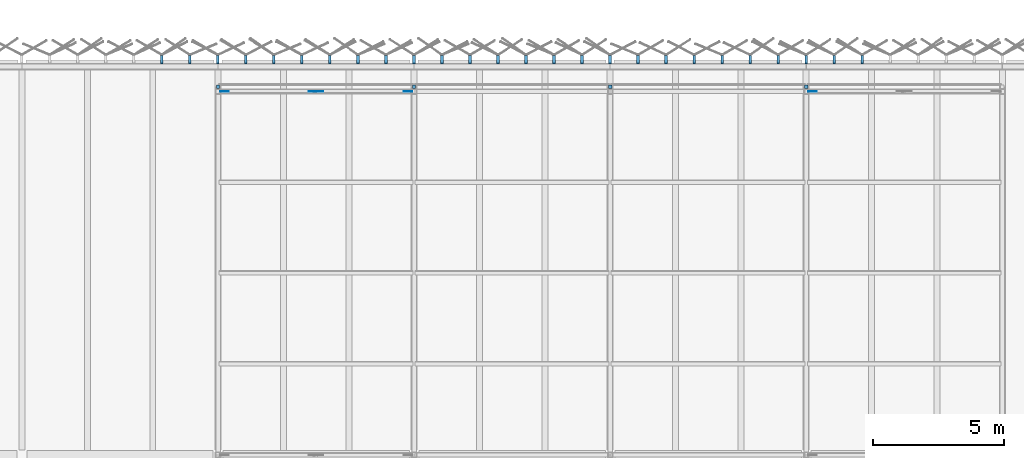
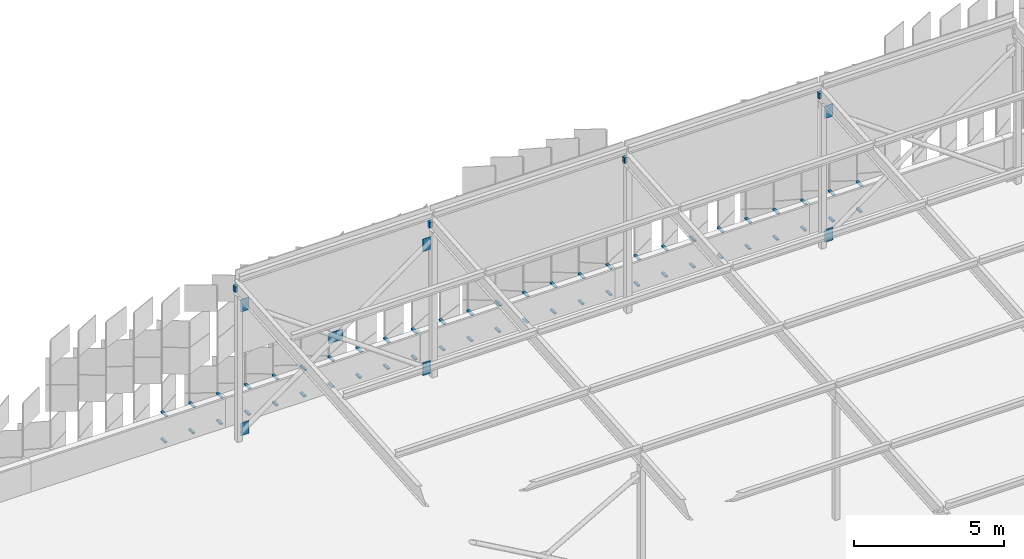
# One storey, part 454 of 483: 63 discrete accessories.
"""IFC4 building model written with IfcOpenShell, lengths in metres."""

import ifcopenshell
import ifcopenshell.guid

model = None  # the IFC model being written
_history = None  # IfcOwnerHistory: only IFC2X3 demands one
_inside = {}  # id of a spatial element -> (the spatial element, [elements in it])
_under = {}  # id of a project, library or spatial element -> (it, [spatial elements below it])
_declared = {}  # id of a project -> (the project, [libraries it declares])
_typed = {}  # id of a type object -> (the type object, [elements of that type])
_made_of = {}  # id of a material, layer set ... -> (it, [elements and type objects made of it])


def new_model(schema):
    """Start an empty IFC model of exactly this schema.

    Asked for "IFC4X3", IfcOpenShell would pick the latest addendum, in which some entities
    have other attributes; the version numbers below select the first issue.
    IFC2X3 requires an IfcOwnerHistory on every rooted entity: one is made here for all.
    """
    global model, _history
    if schema == "IFC4X3":
        model = ifcopenshell.file(schema_version=(4, 3, 0, 0))
    else:
        model = ifcopenshell.file(schema=schema)
    _inside.clear()
    _under.clear()
    _declared.clear()
    _typed.clear()
    _made_of.clear()
    _history = None
    if model.schema == "IFC2X3":
        org = make("IfcOrganization", Name="unknown")
        user = make(
            "IfcPersonAndOrganization",
            ThePerson=make("IfcPerson", FamilyName="unknown"),
            TheOrganization=org,
        )
        app = make(
            "IfcApplication",
            ApplicationDeveloper=org,
            Version="unknown",
            ApplicationFullName="unknown",
            ApplicationIdentifier="unknown",
        )
        _history = make(
            "IfcOwnerHistory",
            OwningUser=user,
            OwningApplication=app,
            ChangeAction="ADDED",
            CreationDate=0,
        )
    return model


def make(cls, **values):
    """One entity of the class cls with the attributes given. An attribute that is None is left unset."""
    return model.create_entity(
        cls, **{name: value for name, value in values.items() if value is not None}
    )


def rooted(cls, **values):
    """An entity with a GlobalId (a new one), such as an element, a storey or a relation."""
    return make(cls, GlobalId=ifcopenshell.guid.new(), OwnerHistory=_history, **values)


def si_unit(unit_type, name, prefix=None):
    """IfcSIUnit, for example si_unit("LENGTHUNIT", "METRE", prefix="MILLI")."""
    return make("IfcSIUnit", UnitType=unit_type, Prefix=prefix, Name=name)


def assignment(units):
    """IfcUnitAssignment: the units of a project."""
    return None if units is None else make("IfcUnitAssignment", Units=units)


def point(xyz):
    """IfcCartesianPoint."""
    return None if xyz is None else make("IfcCartesianPoint", Coordinates=xyz)


def direction(xyz):
    """IfcDirection."""
    return None if xyz is None else make("IfcDirection", DirectionRatios=xyz)


def frame(location, z_axis=None, x_axis=None):
    """IfcAxis2Placement3D, a coordinate frame: its origin and axes. An axis left out is left unset."""
    return make(
        "IfcAxis2Placement3D",
        Location=point(location),
        Axis=direction(z_axis),
        RefDirection=direction(x_axis),
    )


def frame_2d(location, x_axis=None):
    """IfcAxis2Placement2D, a coordinate frame in the plane: its origin and x axis."""
    return make(
        "IfcAxis2Placement2D", Location=point(location), RefDirection=direction(x_axis)
    )


def origin():
    """The frame at (0, 0, 0) with its axes left unset."""
    return frame((0.0, 0.0, 0.0))


def origin_2d():
    """The frame at (0, 0) in the plane with its x axis left unset."""
    return frame_2d((0.0, 0.0))


def place(relative_to, where):
    """IfcLocalPlacement: puts the frame where relative to a parent placement (None: the world)."""
    return make(
        "IfcLocalPlacement", PlacementRelTo=relative_to, RelativePlacement=where
    )


def context(
    kind, dimensions, precision=None, world=None, true_north=None, identifier=None
):
    """IfcGeometricRepresentationContext, for example the 3D "Model" context."""
    return make(
        "IfcGeometricRepresentationContext",
        ContextIdentifier=identifier,
        ContextType=kind,
        CoordinateSpaceDimension=dimensions,
        Precision=precision,
        WorldCoordinateSystem=world,
        TrueNorth=true_north,
    )


def subcontext(parent, identifier, kind, view, scale=None):
    """IfcGeometricRepresentationSubContext, for example "Body" below "Model"."""
    return make(
        "IfcGeometricRepresentationSubContext",
        ContextIdentifier=identifier,
        ContextType=kind,
        ParentContext=parent,
        TargetScale=scale,
        TargetView=view,
    )


def project(units=None, contexts=None):
    """IfcProject with its units and contexts."""
    return rooted(
        "IfcProject",
        Name="project",
        RepresentationContexts=contexts,
        UnitsInContext=assignment(units),
    )


def spatial(cls, under=None, at=None, **own):
    """A site, building, storey or space (cls), placed at a placement, below another one or the project."""
    s = rooted(cls, ObjectPlacement=at, **own)
    if under is not None:
        _under.setdefault(under.id(), (under, []))[1].append(s)
    return s


def polyline(points):
    """IfcPolyline through the points."""
    return make("IfcPolyline", Points=[point(p) for p in points])


def profile(cls, at=None, kind="AREA", **sizes):
    """A parametric profile (cls). Its sizes go by their IFC names, for example OverallWidth=200.0."""
    return make(cls, ProfileType=kind, Position=at, **sizes)


def rectangle(**sizes):
    """IfcRectangleProfileDef."""
    return profile("IfcRectangleProfileDef", **sizes)


def outline(outer, holes=None, kind="AREA"):
    """IfcArbitraryClosedProfileDef: a profile drawn as a closed curve; with holes, ...WithVoids."""
    if holes is None:
        return make("IfcArbitraryClosedProfileDef", ProfileType=kind, OuterCurve=outer)
    return make(
        "IfcArbitraryProfileDefWithVoids",
        ProfileType=kind,
        OuterCurve=outer,
        InnerCurves=holes,
    )


def extrude(swept, where, along, depth):
    """IfcExtrudedAreaSolid: the profile swept, set in the frame where, extruded along a direction by depth."""
    return make(
        "IfcExtrudedAreaSolid",
        SweptArea=swept,
        Position=where,
        ExtrudedDirection=direction(along),
        Depth=depth,
    )


def shape(context_of_items, identifier, shape_type, items):
    """IfcShapeRepresentation: the items that make up one representation, for example the "Body"."""
    return make(
        "IfcShapeRepresentation",
        ContextOfItems=context_of_items,
        RepresentationIdentifier=identifier,
        RepresentationType=shape_type,
        Items=items,
    )


def material(Name=None, Category=None):
    """IfcMaterial."""
    return make("IfcMaterial", Name=Name, Category=Category)


def layer(
    of_material, thickness, ventilated=None, Name=None, Category=None, Priority=None
):
    """IfcMaterialLayer: one layer of a wall or slab, of a material (None: an air gap)."""
    return make(
        "IfcMaterialLayer",
        Material=of_material,
        LayerThickness=thickness,
        IsVentilated=ventilated,
        Name=Name,
        Category=Category,
        Priority=Priority,
    )


def layer_set(layers, Name=None):
    """IfcMaterialLayerSet."""
    return make("IfcMaterialLayerSet", MaterialLayers=layers, LayerSetName=Name)


def made_of(thing, what):
    """Note that an element or type object is made of a material, layer set ...; save() writes the relation."""
    if what is not None:
        _made_of.setdefault(what.id(), (what, []))[1].append(thing)
    return thing


def type_object(cls, material=None, **own):
    """A type object (cls), such as IfcWallType, which elements share."""
    return made_of(rooted(cls, **own), material)


def element(
    cls,
    number,
    at=None,
    inside=None,
    cuts=None,
    type_object=None,
    material=None,
    context=None,
    identifier="Body",
    shape_type=None,
    held_by="IfcProductDefinitionShape",
    body=None,
    shapes=None,
    **own,
):
    """One element of the class cls, such as IfcWall. Its Tag is "e" and its number.

    at: its placement. inside: the storey or other place that contains it. cuts: it is an
    opening in that element (IfcRelVoidsElement). A single representation is given by context,
    identifier, shape_type and body (its items); several are given by shapes. held_by: the class
    of the entity that holds the representations. save() writes the other relations.
    """
    e = rooted(cls, Tag="e%d" % number, ObjectPlacement=at, **own)
    if body is not None:
        shapes = [shape(context, identifier, shape_type, body)]
    if shapes is not None:
        e.Representation = make(held_by, Representations=shapes)
    if inside is not None:
        _inside.setdefault(inside.id(), (inside, []))[1].append(e)
    if cuts is not None:
        rooted(
            "IfcRelVoidsElement", RelatingBuildingElement=cuts, RelatedOpeningElement=e
        )
    if type_object is not None:
        _typed.setdefault(type_object.id(), (type_object, []))[1].append(e)
    return made_of(e, material)


def aggregate(whole, parts):
    """IfcRelAggregates: a whole, such as a stair, and the parts it consists of."""
    return rooted("IfcRelAggregates", RelatingObject=whole, RelatedObjects=parts)


def save(model, path):
    """Write the relations noted so far, then the file.

    IfcRelAggregates (storeys below a building ...), IfcRelContainedInSpatialStructure (elements
    in a storey), IfcRelDefinesByType, IfcRelAssociatesMaterial and IfcRelDeclares: one each for
    every whole, place, type object, material and project.
    """
    for whole, parts in _under.values():
        aggregate(whole, parts)
    for where, things in _inside.values():
        rooted(
            "IfcRelContainedInSpatialStructure",
            RelatedElements=things,
            RelatingStructure=where,
        )
    for kind, things in _typed.values():
        rooted("IfcRelDefinesByType", RelatedObjects=things, RelatingType=kind)
    for what, things in _made_of.values():
        rooted("IfcRelAssociatesMaterial", RelatedObjects=things, RelatingMaterial=what)
    for by, libraries in _declared.values():
        rooted("IfcRelDeclares", RelatingContext=by, RelatedDefinitions=libraries)
    model.write(path)


model = new_model("IFC4")

# Units and contexts
model_context = context("Model", 3, precision=1e-05, world=origin(), true_north=direction((0.0, 1.0)))
body_context = subcontext(model_context, "Body", "Model", "MODEL_VIEW")
ifc_project = project(units=[si_unit("LENGTHUNIT", "METRE"), si_unit("AREAUNIT", "SQUARE_METRE"), si_unit("VOLUMEUNIT", "CUBIC_METRE"), si_unit("PLANEANGLEUNIT", "RADIAN"), si_unit("MASSUNIT", "GRAM", prefix="KILO")], contexts=[model_context])

# Site, building, storey
site_placement = place(None, origin())
site = spatial("IfcSite", under=ifc_project, at=site_placement, CompositionType="ELEMENT")
building_placement = place(site_placement, origin())
building = spatial("IfcBuilding", under=site, at=building_placement, Name="Parallax Yard Mobility Hub", CompositionType="ELEMENT")
storey_placement = place(building_placement, frame((0.0, 0.0, 13.199951171875)))
storey = spatial("IfcBuildingStorey", under=building, at=storey_placement, Name="L04", CompositionType="ELEMENT", Elevation=13.199951171875)

# Discrete accessories
ifc_material_1 = material(Name="Steel ASTM A36", Category="steel")
ifc_layer = layer(ifc_material_1, 0.011962890625)
ifc_layer_set = layer_set([ifc_layer], Name="Gusset plate PL12")
discrete_accessory_type_1 = type_object("IfcDiscreteAccessoryType", Name="Gusset plate PL12", PredefinedType="BRACKET", material=ifc_layer_set)
discrete_accessory_1_placement = place(storey_placement, frame((0.0, 0.0, 0.150146484375)))
element("IfcDiscreteAccessory", 1, at=discrete_accessory_1_placement, inside=storey, type_object=discrete_accessory_type_1, Name="Gusset plate PL12 RC bay N-B bay 1 foot on post N-B1", PredefinedType="BRACKET", context=body_context, shape_type="SweptSolid", body=[
    extrude(outline(polyline([(90.08154296875, 141.39404296875), (90.401611328125, 141.39404296875), (90.401611328125, 141.406005859375), (90.08154296875, 141.406005859375), (90.08154296875, 141.39404296875)])), origin(), (0.0, 0.0, 1.0), 0.515380859375),
])
discrete_accessory_2_placement = place(storey_placement, frame((0.0, 0.0, 5.196533203125)))
element("IfcDiscreteAccessory", 2, at=discrete_accessory_2_placement, inside=storey, type_object=discrete_accessory_type_1, Name="Gusset plate PL12 RC bay N-B bay 1 head on post N-B2", PredefinedType="BRACKET", context=body_context, shape_type="SweptSolid", body=[
    extrude(outline(polyline([(97.41845703125, 141.406005859375), (97.098388671875, 141.406005859375), (97.098388671875, 141.39404296875), (97.41845703125, 141.39404296875), (97.41845703125, 141.406005859375)])), origin(), (0.0, 0.0, 1.0), 0.515625),
])
discrete_accessory_3_placement = place(storey_placement, frame((0.0, 0.0, 0.150146484375)))
element("IfcDiscreteAccessory", 3, at=discrete_accessory_3_placement, inside=storey, type_object=discrete_accessory_type_1, Name="Gusset plate PL12 RC bay N-B bay 1 foot on post N-B2", PredefinedType="BRACKET", context=body_context, shape_type="SweptSolid", body=[
    extrude(outline(polyline([(97.41845703125, 141.406005859375), (97.098388671875, 141.406005859375), (97.098388671875, 141.39404296875), (97.41845703125, 141.39404296875), (97.41845703125, 141.406005859375)])), origin(), (0.0, 0.0, 1.0), 0.515380859375),
])
discrete_accessory_4_placement = place(storey_placement, frame((0.0, 0.0, 5.196533203125)))
element("IfcDiscreteAccessory", 4, at=discrete_accessory_4_placement, inside=storey, type_object=discrete_accessory_type_1, Name="Gusset plate PL12 RC bay N-B bay 1 head on post N-B1", PredefinedType="BRACKET", context=body_context, shape_type="SweptSolid", body=[
    extrude(outline(polyline([(90.08154296875, 141.39404296875), (90.401611328125, 141.39404296875), (90.401611328125, 141.406005859375), (90.08154296875, 141.406005859375), (90.08154296875, 141.39404296875)])), origin(), (0.0, 0.0, 1.0), 0.515625),
])
discrete_accessory_5_placement = place(storey_placement, frame((0.0, 0.0, 2.720947265625)))
element("IfcDiscreteAccessory", 5, at=discrete_accessory_5_placement, inside=storey, type_object=discrete_accessory_type_1, Name="Gusset plate PL12 RC bay N-B bay 1 crossing node", PredefinedType="BRACKET", context=body_context, shape_type="SweptSolid", body=[
    extrude(outline(polyline([(93.469970703125, 141.39404296875), (94.030029296875, 141.39404296875), (94.030029296875, 141.406005859375), (93.469970703125, 141.406005859375), (93.469970703125, 141.39404296875)])), origin(), (0.0, 0.0, 1.0), 0.420166015625),
])
discrete_accessory_6_placement = place(storey_placement, frame((0.0, 0.0, 0.150146484375)))
element("IfcDiscreteAccessory", 6, at=discrete_accessory_6_placement, inside=storey, type_object=discrete_accessory_type_1, Name="Gusset plate PL12 RC bay N-B bay 4 foot on post N-B4", PredefinedType="BRACKET", context=body_context, shape_type="SweptSolid", body=[
    extrude(outline(polyline([(112.58154296875, 141.39404296875), (112.901611328125, 141.39404296875), (112.901611328125, 141.406005859375), (112.58154296875, 141.406005859375), (112.58154296875, 141.39404296875)])), origin(), (0.0, 0.0, 1.0), 0.515380859375),
])
discrete_accessory_7_placement = place(storey_placement, frame((0.0, 0.0, 5.196533203125)))
element("IfcDiscreteAccessory", 7, at=discrete_accessory_7_placement, inside=storey, type_object=discrete_accessory_type_1, Name="Gusset plate PL12 RC bay N-B bay 4 head on post N-B4", PredefinedType="BRACKET", context=body_context, shape_type="SweptSolid", body=[
    extrude(outline(polyline([(112.58154296875, 141.39404296875), (112.901611328125, 141.39404296875), (112.901611328125, 141.406005859375), (112.58154296875, 141.406005859375), (112.58154296875, 141.39404296875)])), origin(), (0.0, 0.0, 1.0), 0.515625),
])
ifc_material_2 = material(Name="Steel ASTM A36, hot-dip galvanised", Category="steel")
discrete_accessory_type_2 = type_object("IfcDiscreteAccessoryType", Name="Hinge bracket plate 100x50", PredefinedType="BRACKET", material=ifc_material_2)
discrete_accessory_8_placement = place(storey_placement, frame((114.637939453125, 142.6416015625, -0.02490234375), z_axis=(0.0, 0.0, 1.0), x_axis=(0.0, 1.0, 0.0)))
element("IfcDiscreteAccessory", 8, at=discrete_accessory_8_placement, inside=storey, type_object=discrete_accessory_type_2, Name="Hinge bracket plate bay 58.6 level L04", PredefinedType="BRACKET", context=body_context, shape_type="SweptSolid", body=[
    extrude(rectangle(XDim=0.2841796875, YDim=0.10009765625, at=origin_2d()), origin(), (0.0, 0.0, 1.0), 0.050048828125),
])
discrete_accessory_9_placement = place(storey_placement, frame((114.637939453125, 142.61865234375, 1.06982421875), z_axis=(0.0, 0.0, 1.0), x_axis=(0.0, 1.0, 0.0)))
element("IfcDiscreteAccessory", 9, at=discrete_accessory_9_placement, inside=storey, type_object=discrete_accessory_type_2, Name="Hinge bracket plate bay 58.6 level L04", PredefinedType="BRACKET", context=body_context, shape_type="SweptSolid", body=[
    extrude(rectangle(XDim=0.330078125, YDim=0.10009765625, at=origin_2d()), origin(), (0.0, 0.0, 1.0), 0.050048828125),
])
discrete_accessory_10_placement = place(storey_placement, frame((113.56640625, 142.6416015625, -0.02490234375), z_axis=(0.0, 0.0, 1.0), x_axis=(0.0, 1.0, 0.0)))
element("IfcDiscreteAccessory", 10, at=discrete_accessory_10_placement, inside=storey, type_object=discrete_accessory_type_2, Name="Hinge bracket plate bay 58.7 level L04", PredefinedType="BRACKET", context=body_context, shape_type="SweptSolid", body=[
    extrude(rectangle(XDim=0.2841796875, YDim=0.10009765625, at=origin_2d()), origin(), (0.0, 0.0, 1.0), 0.050048828125),
])
discrete_accessory_11_placement = place(storey_placement, frame((113.56640625, 142.61865234375, 1.06982421875), z_axis=(0.0, 0.0, 1.0), x_axis=(0.0, 1.0, 0.0)))
element("IfcDiscreteAccessory", 11, at=discrete_accessory_11_placement, inside=storey, type_object=discrete_accessory_type_2, Name="Hinge bracket plate bay 58.7 level L04", PredefinedType="BRACKET", context=body_context, shape_type="SweptSolid", body=[
    extrude(rectangle(XDim=0.330078125, YDim=0.10009765625, at=origin_2d()), origin(), (0.0, 0.0, 1.0), 0.050048828125),
])
discrete_accessory_12_placement = place(storey_placement, frame((112.494873046875, 142.6416015625, -0.02490234375), z_axis=(0.0, 0.0, 1.0), x_axis=(0.0, 1.0, 0.0)))
element("IfcDiscreteAccessory", 12, at=discrete_accessory_12_placement, inside=storey, type_object=discrete_accessory_type_2, Name="Hinge bracket plate bay 59.1 level L04", PredefinedType="BRACKET", context=body_context, shape_type="SweptSolid", body=[
    extrude(rectangle(XDim=0.2841796875, YDim=0.10009765625, at=origin_2d()), origin(), (0.0, 0.0, 1.0), 0.050048828125),
])
discrete_accessory_13_placement = place(storey_placement, frame((112.494873046875, 142.61865234375, 1.06982421875), z_axis=(0.0, 0.0, 1.0), x_axis=(0.0, 1.0, 0.0)))
element("IfcDiscreteAccessory", 13, at=discrete_accessory_13_placement, inside=storey, type_object=discrete_accessory_type_2, Name="Hinge bracket plate bay 59.1 level L04", PredefinedType="BRACKET", context=body_context, shape_type="SweptSolid", body=[
    extrude(rectangle(XDim=0.330078125, YDim=0.10009765625, at=origin_2d()), origin(), (0.0, 0.0, 1.0), 0.050048828125),
])
discrete_accessory_14_placement = place(storey_placement, frame((111.423095703125, 142.6416015625, -0.02490234375), z_axis=(0.0, 0.0, 1.0), x_axis=(0.0, 1.0, 0.0)))
element("IfcDiscreteAccessory", 14, at=discrete_accessory_14_placement, inside=storey, type_object=discrete_accessory_type_2, Name="Hinge bracket plate bay 59.2 level L04", PredefinedType="BRACKET", context=body_context, shape_type="SweptSolid", body=[
    extrude(rectangle(XDim=0.2841796875, YDim=0.10009765625, at=origin_2d()), origin(), (0.0, 0.0, 1.0), 0.050048828125),
])
discrete_accessory_15_placement = place(storey_placement, frame((111.423095703125, 142.61865234375, 1.06982421875), z_axis=(0.0, 0.0, 1.0), x_axis=(0.0, 1.0, 0.0)))
element("IfcDiscreteAccessory", 15, at=discrete_accessory_15_placement, inside=storey, type_object=discrete_accessory_type_2, Name="Hinge bracket plate bay 59.2 level L04", PredefinedType="BRACKET", context=body_context, shape_type="SweptSolid", body=[
    extrude(rectangle(XDim=0.330078125, YDim=0.10009765625, at=origin_2d()), origin(), (0.0, 0.0, 1.0), 0.050048828125),
])
discrete_accessory_16_placement = place(storey_placement, frame((110.351806640625, 142.6416015625, -0.02490234375), z_axis=(0.0, 0.0, 1.0), x_axis=(0.0, 1.0, 0.0)))
element("IfcDiscreteAccessory", 16, at=discrete_accessory_16_placement, inside=storey, type_object=discrete_accessory_type_2, Name="Hinge bracket plate bay 59.3 level L04", PredefinedType="BRACKET", context=body_context, shape_type="SweptSolid", body=[
    extrude(rectangle(XDim=0.2841796875, YDim=0.10009765625, at=origin_2d()), origin(), (0.0, 0.0, 1.0), 0.050048828125),
])
discrete_accessory_17_placement = place(storey_placement, frame((110.351806640625, 142.61865234375, 1.06982421875), z_axis=(0.0, 0.0, 1.0), x_axis=(0.0, 1.0, 0.0)))
element("IfcDiscreteAccessory", 17, at=discrete_accessory_17_placement, inside=storey, type_object=discrete_accessory_type_2, Name="Hinge bracket plate bay 59.3 level L04", PredefinedType="BRACKET", context=body_context, shape_type="SweptSolid", body=[
    extrude(rectangle(XDim=0.330078125, YDim=0.10009765625, at=origin_2d()), origin(), (0.0, 0.0, 1.0), 0.050048828125),
])
discrete_accessory_18_placement = place(storey_placement, frame((109.280029296875, 142.6416015625, -0.02490234375), z_axis=(0.0, 0.0, 1.0), x_axis=(0.0, 1.0, 0.0)))
element("IfcDiscreteAccessory", 18, at=discrete_accessory_18_placement, inside=storey, type_object=discrete_accessory_type_2, Name="Hinge bracket plate bay 59.4 level L04", PredefinedType="BRACKET", context=body_context, shape_type="SweptSolid", body=[
    extrude(rectangle(XDim=0.2841796875, YDim=0.10009765625, at=origin_2d()), origin(), (0.0, 0.0, 1.0), 0.050048828125),
])
discrete_accessory_19_placement = place(storey_placement, frame((109.280029296875, 142.61865234375, 1.06982421875), z_axis=(0.0, 0.0, 1.0), x_axis=(0.0, 1.0, 0.0)))
element("IfcDiscreteAccessory", 19, at=discrete_accessory_19_placement, inside=storey, type_object=discrete_accessory_type_2, Name="Hinge bracket plate bay 59.4 level L04", PredefinedType="BRACKET", context=body_context, shape_type="SweptSolid", body=[
    extrude(rectangle(XDim=0.330078125, YDim=0.10009765625, at=origin_2d()), origin(), (0.0, 0.0, 1.0), 0.050048828125),
])
discrete_accessory_20_placement = place(storey_placement, frame((108.20849609375, 142.6416015625, -0.02490234375), z_axis=(0.0, 0.0, 1.0), x_axis=(0.0, 1.0, 0.0)))
element("IfcDiscreteAccessory", 20, at=discrete_accessory_20_placement, inside=storey, type_object=discrete_accessory_type_2, Name="Hinge bracket plate bay 59.5 level L04", PredefinedType="BRACKET", context=body_context, shape_type="SweptSolid", body=[
    extrude(rectangle(XDim=0.2841796875, YDim=0.10009765625, at=origin_2d()), origin(), (0.0, 0.0, 1.0), 0.050048828125),
])
discrete_accessory_21_placement = place(storey_placement, frame((108.20849609375, 142.61865234375, 1.06982421875), z_axis=(0.0, 0.0, 1.0), x_axis=(0.0, 1.0, 0.0)))
element("IfcDiscreteAccessory", 21, at=discrete_accessory_21_placement, inside=storey, type_object=discrete_accessory_type_2, Name="Hinge bracket plate bay 59.5 level L04", PredefinedType="BRACKET", context=body_context, shape_type="SweptSolid", body=[
    extrude(rectangle(XDim=0.330078125, YDim=0.10009765625, at=origin_2d()), origin(), (0.0, 0.0, 1.0), 0.050048828125),
])
discrete_accessory_22_placement = place(storey_placement, frame((107.136962890625, 142.6416015625, -0.02490234375), z_axis=(0.0, 0.0, 1.0), x_axis=(0.0, 1.0, 0.0)))
element("IfcDiscreteAccessory", 22, at=discrete_accessory_22_placement, inside=storey, type_object=discrete_accessory_type_2, Name="Hinge bracket plate bay 59.6 level L04", PredefinedType="BRACKET", context=body_context, shape_type="SweptSolid", body=[
    extrude(rectangle(XDim=0.2841796875, YDim=0.10009765625, at=origin_2d()), origin(), (0.0, 0.0, 1.0), 0.050048828125),
])
discrete_accessory_23_placement = place(storey_placement, frame((107.136962890625, 142.61865234375, 1.06982421875), z_axis=(0.0, 0.0, 1.0), x_axis=(0.0, 1.0, 0.0)))
element("IfcDiscreteAccessory", 23, at=discrete_accessory_23_placement, inside=storey, type_object=discrete_accessory_type_2, Name="Hinge bracket plate bay 59.6 level L04", PredefinedType="BRACKET", context=body_context, shape_type="SweptSolid", body=[
    extrude(rectangle(XDim=0.330078125, YDim=0.10009765625, at=origin_2d()), origin(), (0.0, 0.0, 1.0), 0.050048828125),
])
discrete_accessory_24_placement = place(storey_placement, frame((106.0654296875, 142.6416015625, -0.02490234375), z_axis=(0.0, 0.0, 1.0), x_axis=(0.0, 1.0, 0.0)))
element("IfcDiscreteAccessory", 24, at=discrete_accessory_24_placement, inside=storey, type_object=discrete_accessory_type_2, Name="Hinge bracket plate bay 59.7 level L04", PredefinedType="BRACKET", context=body_context, shape_type="SweptSolid", body=[
    extrude(rectangle(XDim=0.2841796875, YDim=0.10009765625, at=origin_2d()), origin(), (0.0, 0.0, 1.0), 0.050048828125),
])
discrete_accessory_25_placement = place(storey_placement, frame((106.0654296875, 142.61865234375, 1.06982421875), z_axis=(0.0, 0.0, 1.0), x_axis=(0.0, 1.0, 0.0)))
element("IfcDiscreteAccessory", 25, at=discrete_accessory_25_placement, inside=storey, type_object=discrete_accessory_type_2, Name="Hinge bracket plate bay 59.7 level L04", PredefinedType="BRACKET", context=body_context, shape_type="SweptSolid", body=[
    extrude(rectangle(XDim=0.330078125, YDim=0.10009765625, at=origin_2d()), origin(), (0.0, 0.0, 1.0), 0.050048828125),
])
discrete_accessory_26_placement = place(storey_placement, frame((104.993896484375, 142.6416015625, -0.02490234375), z_axis=(0.0, 0.0, 1.0), x_axis=(0.0, 1.0, 0.0)))
element("IfcDiscreteAccessory", 26, at=discrete_accessory_26_placement, inside=storey, type_object=discrete_accessory_type_2, Name="Hinge bracket plate bay 60.1 level L04", PredefinedType="BRACKET", context=body_context, shape_type="SweptSolid", body=[
    extrude(rectangle(XDim=0.2841796875, YDim=0.10009765625, at=origin_2d()), origin(), (0.0, 0.0, 1.0), 0.050048828125),
])
discrete_accessory_27_placement = place(storey_placement, frame((104.993896484375, 142.61865234375, 1.06982421875), z_axis=(0.0, 0.0, 1.0), x_axis=(0.0, 1.0, 0.0)))
element("IfcDiscreteAccessory", 27, at=discrete_accessory_27_placement, inside=storey, type_object=discrete_accessory_type_2, Name="Hinge bracket plate bay 60.1 level L04", PredefinedType="BRACKET", context=body_context, shape_type="SweptSolid", body=[
    extrude(rectangle(XDim=0.330078125, YDim=0.10009765625, at=origin_2d()), origin(), (0.0, 0.0, 1.0), 0.050048828125),
])
discrete_accessory_28_placement = place(storey_placement, frame((103.92236328125, 142.6416015625, -0.02490234375), z_axis=(0.0, 0.0, 1.0), x_axis=(0.0, 1.0, 0.0)))
element("IfcDiscreteAccessory", 28, at=discrete_accessory_28_placement, inside=storey, type_object=discrete_accessory_type_2, Name="Hinge bracket plate bay 60.2 level L04", PredefinedType="BRACKET", context=body_context, shape_type="SweptSolid", body=[
    extrude(rectangle(XDim=0.2841796875, YDim=0.10009765625, at=origin_2d()), origin(), (0.0, 0.0, 1.0), 0.050048828125),
])
discrete_accessory_29_placement = place(storey_placement, frame((103.92236328125, 142.61865234375, 1.06982421875), z_axis=(0.0, 0.0, 1.0), x_axis=(0.0, 1.0, 0.0)))
element("IfcDiscreteAccessory", 29, at=discrete_accessory_29_placement, inside=storey, type_object=discrete_accessory_type_2, Name="Hinge bracket plate bay 60.2 level L04", PredefinedType="BRACKET", context=body_context, shape_type="SweptSolid", body=[
    extrude(rectangle(XDim=0.330078125, YDim=0.10009765625, at=origin_2d()), origin(), (0.0, 0.0, 1.0), 0.050048828125),
])
discrete_accessory_30_placement = place(storey_placement, frame((102.850830078125, 142.6416015625, -0.02490234375), z_axis=(0.0, 0.0, 1.0), x_axis=(0.0, 1.0, 0.0)))
element("IfcDiscreteAccessory", 30, at=discrete_accessory_30_placement, inside=storey, type_object=discrete_accessory_type_2, Name="Hinge bracket plate bay 60.3 level L04", PredefinedType="BRACKET", context=body_context, shape_type="SweptSolid", body=[
    extrude(rectangle(XDim=0.2841796875, YDim=0.10009765625, at=origin_2d()), origin(), (0.0, 0.0, 1.0), 0.050048828125),
])
discrete_accessory_31_placement = place(storey_placement, frame((102.850830078125, 142.61865234375, 1.06982421875), z_axis=(0.0, 0.0, 1.0), x_axis=(0.0, 1.0, 0.0)))
element("IfcDiscreteAccessory", 31, at=discrete_accessory_31_placement, inside=storey, type_object=discrete_accessory_type_2, Name="Hinge bracket plate bay 60.3 level L04", PredefinedType="BRACKET", context=body_context, shape_type="SweptSolid", body=[
    extrude(rectangle(XDim=0.330078125, YDim=0.10009765625, at=origin_2d()), origin(), (0.0, 0.0, 1.0), 0.050048828125),
])
discrete_accessory_32_placement = place(storey_placement, frame((101.779296875, 142.6416015625, -0.02490234375), z_axis=(0.0, 0.0, 1.0), x_axis=(0.0, 1.0, 0.0)))
element("IfcDiscreteAccessory", 32, at=discrete_accessory_32_placement, inside=storey, type_object=discrete_accessory_type_2, Name="Hinge bracket plate bay 60.4 level L04", PredefinedType="BRACKET", context=body_context, shape_type="SweptSolid", body=[
    extrude(rectangle(XDim=0.2841796875, YDim=0.10009765625, at=origin_2d()), origin(), (0.0, 0.0, 1.0), 0.050048828125),
])
discrete_accessory_33_placement = place(storey_placement, frame((101.779296875, 142.61865234375, 1.06982421875), z_axis=(0.0, 0.0, 1.0), x_axis=(0.0, 1.0, 0.0)))
element("IfcDiscreteAccessory", 33, at=discrete_accessory_33_placement, inside=storey, type_object=discrete_accessory_type_2, Name="Hinge bracket plate bay 60.4 level L04", PredefinedType="BRACKET", context=body_context, shape_type="SweptSolid", body=[
    extrude(rectangle(XDim=0.330078125, YDim=0.10009765625, at=origin_2d()), origin(), (0.0, 0.0, 1.0), 0.050048828125),
])
discrete_accessory_34_placement = place(storey_placement, frame((100.707763671875, 142.6416015625, -0.02490234375), z_axis=(0.0, 0.0, 1.0), x_axis=(0.0, 1.0, 0.0)))
element("IfcDiscreteAccessory", 34, at=discrete_accessory_34_placement, inside=storey, type_object=discrete_accessory_type_2, Name="Hinge bracket plate bay 60.5 level L04", PredefinedType="BRACKET", context=body_context, shape_type="SweptSolid", body=[
    extrude(rectangle(XDim=0.2841796875, YDim=0.10009765625, at=origin_2d()), origin(), (0.0, 0.0, 1.0), 0.050048828125),
])
discrete_accessory_35_placement = place(storey_placement, frame((100.707763671875, 142.61865234375, 1.06982421875), z_axis=(0.0, 0.0, 1.0), x_axis=(0.0, 1.0, 0.0)))
element("IfcDiscreteAccessory", 35, at=discrete_accessory_35_placement, inside=storey, type_object=discrete_accessory_type_2, Name="Hinge bracket plate bay 60.5 level L04", PredefinedType="BRACKET", context=body_context, shape_type="SweptSolid", body=[
    extrude(rectangle(XDim=0.330078125, YDim=0.10009765625, at=origin_2d()), origin(), (0.0, 0.0, 1.0), 0.050048828125),
])
discrete_accessory_36_placement = place(storey_placement, frame((99.635986328125, 142.6416015625, -0.02490234375), z_axis=(0.0, 0.0, 1.0), x_axis=(0.0, 1.0, 0.0)))
element("IfcDiscreteAccessory", 36, at=discrete_accessory_36_placement, inside=storey, type_object=discrete_accessory_type_2, Name="Hinge bracket plate bay 60.6 level L04", PredefinedType="BRACKET", context=body_context, shape_type="SweptSolid", body=[
    extrude(rectangle(XDim=0.2841796875, YDim=0.10009765625, at=origin_2d()), origin(), (0.0, 0.0, 1.0), 0.050048828125),
])
discrete_accessory_37_placement = place(storey_placement, frame((99.635986328125, 142.61865234375, 1.06982421875), z_axis=(0.0, 0.0, 1.0), x_axis=(0.0, 1.0, 0.0)))
element("IfcDiscreteAccessory", 37, at=discrete_accessory_37_placement, inside=storey, type_object=discrete_accessory_type_2, Name="Hinge bracket plate bay 60.6 level L04", PredefinedType="BRACKET", context=body_context, shape_type="SweptSolid", body=[
    extrude(rectangle(XDim=0.330078125, YDim=0.10009765625, at=origin_2d()), origin(), (0.0, 0.0, 1.0), 0.050048828125),
])
discrete_accessory_38_placement = place(storey_placement, frame((98.564453125, 142.6416015625, -0.02490234375), z_axis=(0.0, 0.0, 1.0), x_axis=(0.0, 1.0, 0.0)))
element("IfcDiscreteAccessory", 38, at=discrete_accessory_38_placement, inside=storey, type_object=discrete_accessory_type_2, Name="Hinge bracket plate bay 60.7 level L04", PredefinedType="BRACKET", context=body_context, shape_type="SweptSolid", body=[
    extrude(rectangle(XDim=0.2841796875, YDim=0.10009765625, at=origin_2d()), origin(), (0.0, 0.0, 1.0), 0.050048828125),
])
discrete_accessory_39_placement = place(storey_placement, frame((98.564453125, 142.61865234375, 1.06982421875), z_axis=(0.0, 0.0, 1.0), x_axis=(0.0, 1.0, 0.0)))
element("IfcDiscreteAccessory", 39, at=discrete_accessory_39_placement, inside=storey, type_object=discrete_accessory_type_2, Name="Hinge bracket plate bay 60.7 level L04", PredefinedType="BRACKET", context=body_context, shape_type="SweptSolid", body=[
    extrude(rectangle(XDim=0.330078125, YDim=0.10009765625, at=origin_2d()), origin(), (0.0, 0.0, 1.0), 0.050048828125),
])
discrete_accessory_40_placement = place(storey_placement, frame((97.492919921875, 142.6416015625, -0.02490234375), z_axis=(0.0, 0.0, 1.0), x_axis=(0.0, 1.0, 0.0)))
element("IfcDiscreteAccessory", 40, at=discrete_accessory_40_placement, inside=storey, type_object=discrete_accessory_type_2, Name="Hinge bracket plate bay 61.1 level L04", PredefinedType="BRACKET", context=body_context, shape_type="SweptSolid", body=[
    extrude(rectangle(XDim=0.2841796875, YDim=0.10009765625, at=origin_2d()), origin(), (0.0, 0.0, 1.0), 0.050048828125),
])
discrete_accessory_41_placement = place(storey_placement, frame((97.492919921875, 142.61865234375, 1.06982421875), z_axis=(0.0, 0.0, 1.0), x_axis=(0.0, 1.0, 0.0)))
element("IfcDiscreteAccessory", 41, at=discrete_accessory_41_placement, inside=storey, type_object=discrete_accessory_type_2, Name="Hinge bracket plate bay 61.1 level L04", PredefinedType="BRACKET", context=body_context, shape_type="SweptSolid", body=[
    extrude(rectangle(XDim=0.330078125, YDim=0.10009765625, at=origin_2d()), origin(), (0.0, 0.0, 1.0), 0.050048828125),
])
discrete_accessory_42_placement = place(storey_placement, frame((96.42138671875, 142.6416015625, -0.02490234375), z_axis=(0.0, 0.0, 1.0), x_axis=(0.0, 1.0, 0.0)))
element("IfcDiscreteAccessory", 42, at=discrete_accessory_42_placement, inside=storey, type_object=discrete_accessory_type_2, Name="Hinge bracket plate bay 61.2 level L04", PredefinedType="BRACKET", context=body_context, shape_type="SweptSolid", body=[
    extrude(rectangle(XDim=0.2841796875, YDim=0.10009765625, at=origin_2d()), origin(), (0.0, 0.0, 1.0), 0.050048828125),
])
discrete_accessory_43_placement = place(storey_placement, frame((96.42138671875, 142.61865234375, 1.06982421875), z_axis=(0.0, 0.0, 1.0), x_axis=(0.0, 1.0, 0.0)))
element("IfcDiscreteAccessory", 43, at=discrete_accessory_43_placement, inside=storey, type_object=discrete_accessory_type_2, Name="Hinge bracket plate bay 61.2 level L04", PredefinedType="BRACKET", context=body_context, shape_type="SweptSolid", body=[
    extrude(rectangle(XDim=0.330078125, YDim=0.10009765625, at=origin_2d()), origin(), (0.0, 0.0, 1.0), 0.050048828125),
])
discrete_accessory_44_placement = place(storey_placement, frame((95.349853515625, 142.6416015625, -0.02490234375), z_axis=(0.0, 0.0, 1.0), x_axis=(0.0, 1.0, 0.0)))
element("IfcDiscreteAccessory", 44, at=discrete_accessory_44_placement, inside=storey, type_object=discrete_accessory_type_2, Name="Hinge bracket plate bay 61.3 level L04", PredefinedType="BRACKET", context=body_context, shape_type="SweptSolid", body=[
    extrude(rectangle(XDim=0.2841796875, YDim=0.10009765625, at=origin_2d()), origin(), (0.0, 0.0, 1.0), 0.050048828125),
])
discrete_accessory_45_placement = place(storey_placement, frame((95.349853515625, 142.61865234375, 1.06982421875), z_axis=(0.0, 0.0, 1.0), x_axis=(0.0, 1.0, 0.0)))
element("IfcDiscreteAccessory", 45, at=discrete_accessory_45_placement, inside=storey, type_object=discrete_accessory_type_2, Name="Hinge bracket plate bay 61.3 level L04", PredefinedType="BRACKET", context=body_context, shape_type="SweptSolid", body=[
    extrude(rectangle(XDim=0.330078125, YDim=0.10009765625, at=origin_2d()), origin(), (0.0, 0.0, 1.0), 0.050048828125),
])
discrete_accessory_46_placement = place(storey_placement, frame((94.2783203125, 142.6416015625, -0.02490234375), z_axis=(0.0, 0.0, 1.0), x_axis=(0.0, 1.0, 0.0)))
element("IfcDiscreteAccessory", 46, at=discrete_accessory_46_placement, inside=storey, type_object=discrete_accessory_type_2, Name="Hinge bracket plate bay 61.4 level L04", PredefinedType="BRACKET", context=body_context, shape_type="SweptSolid", body=[
    extrude(rectangle(XDim=0.2841796875, YDim=0.10009765625, at=origin_2d()), origin(), (0.0, 0.0, 1.0), 0.050048828125),
])
discrete_accessory_47_placement = place(storey_placement, frame((94.2783203125, 142.61865234375, 1.06982421875), z_axis=(0.0, 0.0, 1.0), x_axis=(0.0, 1.0, 0.0)))
element("IfcDiscreteAccessory", 47, at=discrete_accessory_47_placement, inside=storey, type_object=discrete_accessory_type_2, Name="Hinge bracket plate bay 61.4 level L04", PredefinedType="BRACKET", context=body_context, shape_type="SweptSolid", body=[
    extrude(rectangle(XDim=0.330078125, YDim=0.10009765625, at=origin_2d()), origin(), (0.0, 0.0, 1.0), 0.050048828125),
])
discrete_accessory_48_placement = place(storey_placement, frame((93.206787109375, 142.6416015625, -0.02490234375), z_axis=(0.0, 0.0, 1.0), x_axis=(0.0, 1.0, 0.0)))
element("IfcDiscreteAccessory", 48, at=discrete_accessory_48_placement, inside=storey, type_object=discrete_accessory_type_2, Name="Hinge bracket plate bay 61.5 level L04", PredefinedType="BRACKET", context=body_context, shape_type="SweptSolid", body=[
    extrude(rectangle(XDim=0.2841796875, YDim=0.10009765625, at=origin_2d()), origin(), (0.0, 0.0, 1.0), 0.050048828125),
])
discrete_accessory_49_placement = place(storey_placement, frame((93.206787109375, 142.61865234375, 1.06982421875), z_axis=(0.0, 0.0, 1.0), x_axis=(0.0, 1.0, 0.0)))
element("IfcDiscreteAccessory", 49, at=discrete_accessory_49_placement, inside=storey, type_object=discrete_accessory_type_2, Name="Hinge bracket plate bay 61.5 level L04", PredefinedType="BRACKET", context=body_context, shape_type="SweptSolid", body=[
    extrude(rectangle(XDim=0.330078125, YDim=0.10009765625, at=origin_2d()), origin(), (0.0, 0.0, 1.0), 0.050048828125),
])
discrete_accessory_50_placement = place(storey_placement, frame((92.13525390625, 142.6416015625, -0.02490234375), z_axis=(0.0, 0.0, 1.0), x_axis=(0.0, 1.0, 0.0)))
element("IfcDiscreteAccessory", 50, at=discrete_accessory_50_placement, inside=storey, type_object=discrete_accessory_type_2, Name="Hinge bracket plate bay 61.6 level L04", PredefinedType="BRACKET", context=body_context, shape_type="SweptSolid", body=[
    extrude(rectangle(XDim=0.2841796875, YDim=0.10009765625, at=origin_2d()), origin(), (0.0, 0.0, 1.0), 0.050048828125),
])
discrete_accessory_51_placement = place(storey_placement, frame((92.13525390625, 142.61865234375, 1.06982421875), z_axis=(0.0, 0.0, 1.0), x_axis=(0.0, 1.0, 0.0)))
element("IfcDiscreteAccessory", 51, at=discrete_accessory_51_placement, inside=storey, type_object=discrete_accessory_type_2, Name="Hinge bracket plate bay 61.6 level L04", PredefinedType="BRACKET", context=body_context, shape_type="SweptSolid", body=[
    extrude(rectangle(XDim=0.330078125, YDim=0.10009765625, at=origin_2d()), origin(), (0.0, 0.0, 1.0), 0.050048828125),
])
discrete_accessory_52_placement = place(storey_placement, frame((91.063720703125, 142.6416015625, -0.02490234375), z_axis=(0.0, 0.0, 1.0), x_axis=(0.0, 1.0, 0.0)))
element("IfcDiscreteAccessory", 52, at=discrete_accessory_52_placement, inside=storey, type_object=discrete_accessory_type_2, Name="Hinge bracket plate bay 61.7 level L04", PredefinedType="BRACKET", context=body_context, shape_type="SweptSolid", body=[
    extrude(rectangle(XDim=0.2841796875, YDim=0.10009765625, at=origin_2d()), origin(), (0.0, 0.0, 1.0), 0.050048828125),
])
discrete_accessory_53_placement = place(storey_placement, frame((91.063720703125, 142.61865234375, 1.06982421875), z_axis=(0.0, 0.0, 1.0), x_axis=(0.0, 1.0, 0.0)))
element("IfcDiscreteAccessory", 53, at=discrete_accessory_53_placement, inside=storey, type_object=discrete_accessory_type_2, Name="Hinge bracket plate bay 61.7 level L04", PredefinedType="BRACKET", context=body_context, shape_type="SweptSolid", body=[
    extrude(rectangle(XDim=0.330078125, YDim=0.10009765625, at=origin_2d()), origin(), (0.0, 0.0, 1.0), 0.050048828125),
])
discrete_accessory_54_placement = place(storey_placement, frame((89.9921875, 142.6416015625, -0.02490234375), z_axis=(0.0, 0.0, 1.0), x_axis=(0.0, 1.0, 0.0)))
element("IfcDiscreteAccessory", 54, at=discrete_accessory_54_placement, inside=storey, type_object=discrete_accessory_type_2, Name="Hinge bracket plate bay 62.1 level L04", PredefinedType="BRACKET", context=body_context, shape_type="SweptSolid", body=[
    extrude(rectangle(XDim=0.2841796875, YDim=0.10009765625, at=origin_2d()), origin(), (0.0, 0.0, 1.0), 0.050048828125),
])
discrete_accessory_55_placement = place(storey_placement, frame((89.9921875, 142.61865234375, 1.06982421875), z_axis=(0.0, 0.0, 1.0), x_axis=(0.0, 1.0, 0.0)))
element("IfcDiscreteAccessory", 55, at=discrete_accessory_55_placement, inside=storey, type_object=discrete_accessory_type_2, Name="Hinge bracket plate bay 62.1 level L04", PredefinedType="BRACKET", context=body_context, shape_type="SweptSolid", body=[
    extrude(rectangle(XDim=0.330078125, YDim=0.10009765625, at=origin_2d()), origin(), (0.0, 0.0, 1.0), 0.050048828125),
])
discrete_accessory_56_placement = place(storey_placement, frame((88.92041015625, 142.6416015625, -0.02490234375), z_axis=(0.0, 0.0, 1.0), x_axis=(0.0, 1.0, 0.0)))
element("IfcDiscreteAccessory", 56, at=discrete_accessory_56_placement, inside=storey, type_object=discrete_accessory_type_2, Name="Hinge bracket plate bay 62.2 level L04", PredefinedType="BRACKET", context=body_context, shape_type="SweptSolid", body=[
    extrude(rectangle(XDim=0.2841796875, YDim=0.10009765625, at=origin_2d()), origin(), (0.0, 0.0, 1.0), 0.050048828125),
])
discrete_accessory_57_placement = place(storey_placement, frame((88.92041015625, 142.61865234375, 1.06982421875), z_axis=(0.0, 0.0, 1.0), x_axis=(0.0, 1.0, 0.0)))
element("IfcDiscreteAccessory", 57, at=discrete_accessory_57_placement, inside=storey, type_object=discrete_accessory_type_2, Name="Hinge bracket plate bay 62.2 level L04", PredefinedType="BRACKET", context=body_context, shape_type="SweptSolid", body=[
    extrude(rectangle(XDim=0.330078125, YDim=0.10009765625, at=origin_2d()), origin(), (0.0, 0.0, 1.0), 0.050048828125),
])
discrete_accessory_58_placement = place(storey_placement, frame((87.84912109375, 142.6416015625, -0.02490234375), z_axis=(0.0, 0.0, 1.0), x_axis=(0.0, 1.0, 0.0)))
element("IfcDiscreteAccessory", 58, at=discrete_accessory_58_placement, inside=storey, type_object=discrete_accessory_type_2, Name="Hinge bracket plate bay 62.3 level L04", PredefinedType="BRACKET", context=body_context, shape_type="SweptSolid", body=[
    extrude(rectangle(XDim=0.2841796875, YDim=0.10009765625, at=origin_2d()), origin(), (0.0, 0.0, 1.0), 0.050048828125),
])
discrete_accessory_59_placement = place(storey_placement, frame((87.84912109375, 142.61865234375, 1.06982421875), z_axis=(0.0, 0.0, 1.0), x_axis=(0.0, 1.0, 0.0)))
element("IfcDiscreteAccessory", 59, at=discrete_accessory_59_placement, inside=storey, type_object=discrete_accessory_type_2, Name="Hinge bracket plate bay 62.3 level L04", PredefinedType="BRACKET", context=body_context, shape_type="SweptSolid", body=[
    extrude(rectangle(XDim=0.330078125, YDim=0.10009765625, at=origin_2d()), origin(), (0.0, 0.0, 1.0), 0.050048828125),
])
discrete_accessory_type_3 = type_object("IfcDiscreteAccessoryType", Name="Valance bracket plate", PredefinedType="BRACKET", material=ifc_material_2)
for number, where, z_axis, x_axis, name in (
    (60, (90.0, 141.590087890625, 5.961181640625), (0.0, 0.0, 1.0), (0.0, 1.0, 0.0), "Valance bracket plate N-B1"),
    (61, (97.5, 141.590087890625, 5.961181640625), (0.0, 0.0, 1.0), (0.0, 1.0, 0.0), "Valance bracket plate N-B2"),
    (62, (105.0, 141.590087890625, 5.961181640625), (0.0, 0.0, 1.0), (0.0, 1.0, 0.0), "Valance bracket plate N-B3"),
    (63, (112.5, 141.590087890625, 5.961181640625), (0.0, 0.0, 1.0), (0.0, 1.0, 0.0), "Valance bracket plate N-B4"),
):
    element("IfcDiscreteAccessory", number, at=place(storey_placement, frame(where, z_axis=z_axis, x_axis=x_axis)), inside=storey, type_object=discrete_accessory_type_3, Name=name, PredefinedType="BRACKET", context=body_context, shape_type="SweptSolid", body=[
        extrude(rectangle(XDim=0.139892578125, YDim=0.1201171875, at=origin_2d()), origin(), (0.0, 0.0, 1.0), 0.22998046875),
    ])

save(model, "model.ifc")
